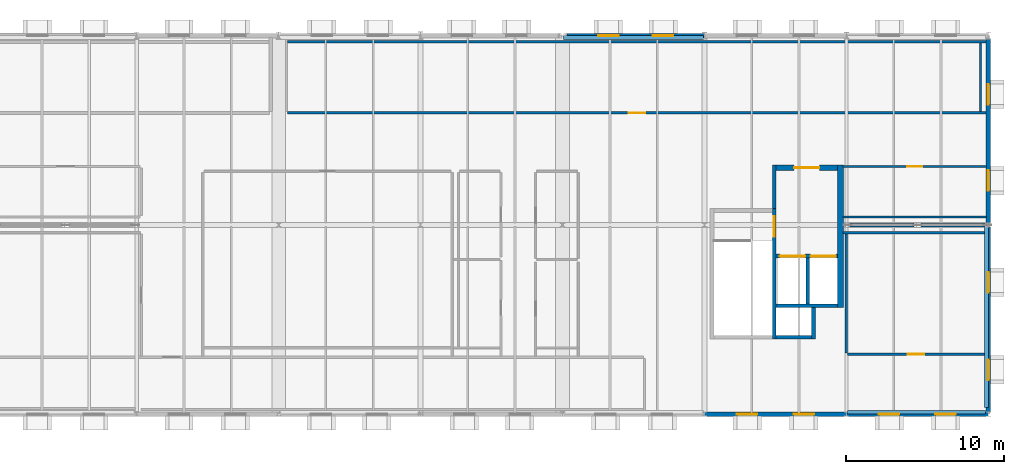
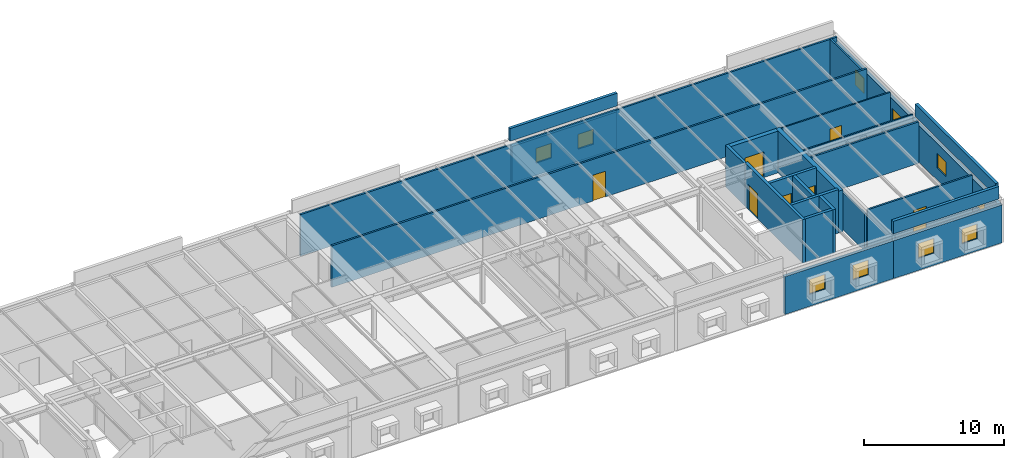
# One storey, part 14 of 16: 26 walls, 10 windows, 7 doors, 17 openings.
"""IFC4 building model written with IfcOpenShell, lengths in metres."""

from ifc_helpers import new_model, si_unit, direction, frame, frame_2d, origin, place, context, subcontext, project, spatial, rectangle, extrude, material, layer, layer_set, type_object, element, fill, save


model = new_model("IFC4")

# Units and contexts
model_context = context("Model", 3, precision=1e-05, world=origin(), true_north=direction((0.0, 1.0)))
body_context = subcontext(model_context, "Body", "Model", "MODEL_VIEW")
ifc_project = project(units=[si_unit("LENGTHUNIT", "METRE"), si_unit("AREAUNIT", "SQUARE_METRE"), si_unit("VOLUMEUNIT", "CUBIC_METRE"), si_unit("PLANEANGLEUNIT", "RADIAN"), si_unit("MASSUNIT", "GRAM", prefix="KILO")], contexts=[model_context])

# Site, building, storey
site_placement = place(None, origin())
site = spatial("IfcSite", under=ifc_project, at=site_placement, CompositionType="ELEMENT")
building_placement = place(site_placement, origin())
building = spatial("IfcBuilding", under=site, at=building_placement, Name="Montelvaro Courts of Justice", CompositionType="ELEMENT")
storey_placement = place(building_placement, frame((0.0, 0.0, 35.39990234375)))
storey = spatial("IfcBuildingStorey", under=building, at=storey_placement, Name="L08", CompositionType="ELEMENT", Elevation=35.39990234375)

# Walls
ifc_material_1 = material(Name="Gypsum board on metal stud")
ifc_layer_1 = layer(ifc_material_1, 0.14990234375)
ifc_layer_set_1 = layer_set([ifc_layer_1], Name="Gypsum board on metal stud")
wall_type_1 = type_object("IfcWallType", Name="ChambersPartition_150", PredefinedType="PARTITIONING", material=ifc_layer_set_1)
wall_1_placement = place(storey_placement, frame((81.580078125, 23.60009765625, 0.0), z_axis=(0.0, 0.0, 1.0), x_axis=(1.0, 0.0, 0.0)))
element("IfcWall", 1, at=wall_1_placement, inside=storey, type_object=wall_type_1, Name="Interior Partition IW-04 (L08)", PredefinedType="PARTITIONING", context=body_context, shape_type="SweptSolid", body=[
    extrude(rectangle(XDim=44.411865234375, YDim=0.14990234375, at=frame_2d((22.2060546875, 0.0))), origin(), (0.0, 0.0, 1.0), 3.64013671875),
])
wall_2_placement = place(storey_placement, frame((125.5, 23.530029296875, 0.0), z_axis=(0.0, 0.0, 1.0), x_axis=(0.0, -1.0, 0.0)))
element("IfcWall", 2, at=wall_2_placement, inside=storey, type_object=wall_type_1, Name="Interior Partition IW-04 (L08)", PredefinedType="PARTITIONING", context=body_context, shape_type="SweptSolid", body=[
    extrude(rectangle(XDim=4.35009765625, YDim=0.14990234375, at=frame_2d((2.175048828125, 0.0))), origin(), (0.0, 0.0, 1.0), 3.64013671875),
])

# Wall, opening, door
wall_3_placement = place(storey_placement, frame((125.864990234375, 19.10009765625, 0.0), z_axis=(0.0, 0.0, 1.0), x_axis=(-1.0, 0.0, 0.0)))
wall_3 = element("IfcWall", 3, at=wall_3_placement, inside=storey, type_object=wall_type_1, Name="Interior Partition IW-04 (L08)", PredefinedType="PARTITIONING", context=body_context, shape_type="SweptSolid", body=[
    extrude(rectangle(XDim=44.284912109375, YDim=0.14990234375, at=frame_2d((22.142578125, 0.0))), origin(), (0.0, 0.0, 1.0), 3.64013671875),
])
opening_1_placement = place(wall_3_placement, frame((21.616943359375, 0.0, 0.0)))
opening_1 = element("IfcOpeningElement", 4, at=opening_1_placement, cuts=wall_3, Name="Opening D-L08-193", PredefinedType="OPENING", context=body_context, shape_type="SweptSolid", body=[
    extrude(rectangle(XDim=1.050048828125, YDim=2.25, at=frame_2d((0.52490234375, 1.125))), frame((0.0, 0.08984375, 0.0), z_axis=(0.0, -1.0, 0.0), x_axis=(1.0, 0.0, 0.0)), (0.0, 0.0, 1.0), 0.1796875),
])
ifc_material_2 = material(Name="Acoustic oak timber veneer", Category="wood")
door_type_1 = type_object("IfcDoorType", Name="ChamberDoor_105x225", OperationType="NOTDEFINED", PredefinedType="DOOR", material=ifc_material_2)
door_1_placement = place(opening_1_placement, frame((1.050048828125, 0.0, 0.0), z_axis=(0.0, 0.0, 1.0), x_axis=(-1.0, 0.0, 0.0)))
door_1 = element("IfcDoor", 5, at=door_1_placement, inside=storey, type_object=door_type_1, Name="Interior Door D-L08-193 (Senior Judicial Secretariat Office)", OperationType="SINGLE_SWING_LEFT", OverallHeight=2.25, OverallWidth=1.050048828125, PredefinedType="DOOR", context=body_context, shape_type="SweptSolid", body=[
    extrude(rectangle(XDim=1.050048828125, YDim=2.25, at=frame_2d((0.52490234375, 1.125))), frame((0.0, 0.02490234375, 0.0), z_axis=(0.0, -1.0, 0.0), x_axis=(1.0, 0.0, 0.0)), (0.0, 0.0, 1.0), 0.050048828125),
])
fill(opening_1, door_1)

# Walls
wall_4_placement = place(storey_placement, frame((117.0, 3.8798828125, 0.0), z_axis=(0.0, 0.0, 1.0), x_axis=(0.0, 1.0, 0.0)))
element("IfcWall", 6, at=wall_4_placement, inside=storey, type_object=wall_type_1, Name="Interior Partition IW-04 (L08)", PredefinedType="PARTITIONING", context=body_context, shape_type="SweptSolid", body=[
    extrude(rectangle(XDim=7.5400390625, YDim=0.14990234375, at=frame_2d((3.77001953125, 0.0))), origin(), (0.0, 0.0, 1.0), 3.2451171875),
])
wall_5_placement = place(storey_placement, frame((116.794921875, 11.5, 0.0), z_axis=(0.0, 0.0, 1.0), x_axis=(1.0, 0.0, 0.0)))
element("IfcWall", 7, at=wall_5_placement, inside=storey, type_object=wall_type_1, Name="Interior Partition IW-04 (L08)", PredefinedType="PARTITIONING", context=body_context, shape_type="SweptSolid", body=[
    extrude(rectangle(XDim=8.969970703125, YDim=0.14990234375, at=frame_2d((4.48486328125, 0.0))), origin(), (0.0, 0.0, 1.0), 3.64013671875),
])

# Wall, opening, door
wall_6_placement = place(storey_placement, frame((125.764892578125, 3.800048828125, 0.0), z_axis=(0.0, 0.0, 1.0), x_axis=(-1.0, 0.0, 0.0)))
wall_6 = element("IfcWall", 8, at=wall_6_placement, inside=storey, type_object=wall_type_1, Name="Interior Partition IW-04 (L08)", PredefinedType="PARTITIONING", context=body_context, shape_type="SweptSolid", body=[
    extrude(rectangle(XDim=8.684814453125, YDim=0.14990234375, at=frame_2d((4.34228515625, 0.0))), origin(), (0.0, 0.0, 1.0), 3.64013671875),
])
opening_2_placement = place(wall_6_placement, frame((3.818115234375, 0.0, 0.0)))
opening_2 = element("IfcOpeningElement", 9, at=opening_2_placement, cuts=wall_6, Name="Opening D-L08-197", PredefinedType="OPENING", context=body_context, shape_type="SweptSolid", body=[
    extrude(rectangle(XDim=1.050048828125, YDim=2.25, at=frame_2d((0.52490234375, 1.125))), frame((0.0, 0.08984375, 0.0), z_axis=(0.0, -1.0, 0.0), x_axis=(1.0, 0.0, 0.0)), (0.0, 0.0, 1.0), 0.1796875),
])
door_2_placement = place(opening_2_placement, frame((1.050048828125, 0.0, 0.0), z_axis=(0.0, 0.0, 1.0), x_axis=(-1.0, 0.0, 0.0)))
door_2 = element("IfcDoor", 10, at=door_2_placement, inside=storey, type_object=door_type_1, Name="Interior Door D-L08-197 (Judicial Mediation Lounge L08)", OperationType="SINGLE_SWING_LEFT", OverallHeight=2.25, OverallWidth=1.050048828125, PredefinedType="DOOR", context=body_context, shape_type="SweptSolid", body=[
    extrude(rectangle(XDim=1.050048828125, YDim=2.25, at=frame_2d((0.52490234375, 1.125))), frame((0.0, 0.02490234375, 0.0), z_axis=(0.0, -1.0, 0.0), x_axis=(1.0, 0.0, 0.0)), (0.0, 0.0, 1.0), 0.050048828125),
])
fill(opening_2, door_2)

ifc_material_3 = material(Name="Concrete C40/50", Category="concrete")
ifc_layer_2 = layer(ifc_material_3, 0.360107421875)
ifc_layer_set_2 = layer_set([ifc_layer_2], Name="Concrete C40/50")
wall_type_2 = type_object("IfcWallType", Name="CoreWall_360", PredefinedType="SHEAR", material=ifc_layer_set_2)
wall_7_placement = place(storey_placement, frame((112.5400390625, 15.6201171875, 0.0), z_axis=(0.0, 0.0, 1.0), x_axis=(1.0, 0.0, 0.0)))
wall_7 = element("IfcWall", 11, at=wall_7_placement, inside=storey, type_object=wall_type_2, Name="Core Shear Wall CW-01 K2-N (L08)", PredefinedType="SHEAR", context=body_context, shape_type="SweptSolid", body=[
    extrude(rectangle(XDim=3.89990234375, YDim=0.360107421875, at=frame_2d((1.949951171875, 0.0))), origin(), (0.0, 0.0, 1.0), 3.66015625),
])
opening_3_placement = place(wall_7_placement, frame((1.14990234375, 0.0, 0.0)))
opening_3 = element("IfcOpeningElement", 12, at=opening_3_placement, cuts=wall_7, Name="Opening DL-L08-K2", PredefinedType="OPENING", context=body_context, shape_type="SweptSolid", body=[
    extrude(rectangle(XDim=1.60009765625, YDim=2.25, at=frame_2d((0.800048828125, 1.125))), frame((0.0, 0.19482421875, 0.0), z_axis=(0.0, -1.0, 0.0), x_axis=(1.0, 0.0, 0.0)), (0.0, 0.0, 1.0), 0.389892578125),
])
ifc_material_4 = material(Name="Galvanised steel S355 security door", Category="steel")
door_type_2 = type_object("IfcDoorType", Name="LobbyFireDoor_160x225", OperationType="DOUBLE_DOOR_SINGLE_SWING", PredefinedType="DOOR", material=ifc_material_4)
door_3_placement = place(opening_3_placement, origin())
door_3 = element("IfcDoor", 13, at=door_3_placement, inside=storey, type_object=door_type_2, Name="Core Lobby Fire Door DL-L08-K2", OperationType="DOUBLE_DOOR_SINGLE_SWING", OverallHeight=2.25, OverallWidth=1.60009765625, PredefinedType="DOOR", context=body_context, shape_type="SweptSolid", body=[
    extrude(rectangle(XDim=1.60009765625, YDim=2.25, at=frame_2d((0.800048828125, 1.125))), frame((0.0, 0.02490234375, 0.0), z_axis=(0.0, -1.0, 0.0), x_axis=(1.0, 0.0, 0.0)), (0.0, 0.0, 1.0), 0.050048828125),
])
fill(opening_3, door_3)

# Wall
wall_8_placement = place(storey_placement, frame((116.6201171875, 6.760009765625, 0.0), z_axis=(0.0, 0.0, 1.0), x_axis=(0.0, 1.0, 0.0)))
element("IfcWall", 14, at=wall_8_placement, inside=storey, type_object=wall_type_2, Name="Core Shear Wall CW-01 K2-E (L08)", PredefinedType="SHEAR", context=body_context, shape_type="SweptSolid", body=[
    extrude(rectangle(XDim=9.0400390625, YDim=0.360107421875, at=frame_2d((4.52001953125, 0.0))), origin(), (0.0, 0.0, 1.0), 3.66015625),
])

# Wall, openings, windows
ifc_material_5 = material(Name="White mineral precast concrete C45/55", Category="concrete")
ifc_layer_3 = layer(ifc_material_5, 0.280029296875)
ifc_layer_set_3 = layer_set([ifc_layer_3], Name="White mineral precast concrete C45/55")
wall_type_3 = type_object("IfcWallType", Name="ExtWall_GFRC_280", PredefinedType="SOLIDWALL", material=ifc_layer_set_3)
wall_9_placement = place(storey_placement, frame((108.008056640625, 0.0, 0.0), z_axis=(0.0, 0.0, 1.0), x_axis=(1.0, 0.0, 0.0)))
wall_9 = element("IfcWall", 15, at=wall_9_placement, inside=storey, type_object=wall_type_3, Name="Exterior Facade Wall EW-01 (L08)", PredefinedType="SOLIDWALL", context=body_context, shape_type="SweptSolid", body=[
    extrude(rectangle(XDim=8.98388671875, YDim=0.280029296875, at=frame_2d((4.491943359375, 0.0))), origin(), (0.0, 0.0, 1.0), 3.30517578125),
])
opening_4_placement = place(wall_9_placement, frame((2.044921875, 0.0, 1.050048828125)))
opening_4 = element("IfcOpeningElement", 16, at=opening_4_placement, cuts=wall_9, Name="Opening WE-18", PredefinedType="OPENING", context=body_context, shape_type="SweptSolid", body=[
    extrude(rectangle(XDim=1.300048828125, YDim=1.300048828125, at=frame_2d((0.64990234375, 0.64990234375))), frame((0.0, 0.15478515625, 0.0), z_axis=(0.0, -1.0, 0.0), x_axis=(1.0, 0.0, 0.0)), (0.0, 0.0, 1.0), 0.309814453125),
])
opening_5_placement = place(wall_9_placement, frame((5.638916015625, 0.0, 1.050048828125)))
opening_5 = element("IfcOpeningElement", 17, at=opening_5_placement, cuts=wall_9, Name="Opening WE-18", PredefinedType="OPENING", context=body_context, shape_type="SweptSolid", body=[
    extrude(rectangle(XDim=1.300048828125, YDim=1.300048828125, at=frame_2d((0.64990234375, 0.64990234375))), frame((0.0, 0.15478515625, 0.0), z_axis=(0.0, -1.0, 0.0), x_axis=(1.0, 0.0, 0.0)), (0.0, 0.0, 1.0), 0.309814453125),
])
ifc_material_6 = material(Name="Low-E solar control double glazing", Category="glass")
window_type = type_object("IfcWindowType", Name="Win_Sq_130x130", PartitioningType="SINGLE_PANEL", PredefinedType="WINDOW", material=ifc_material_6)
window_1_placement = place(opening_4_placement, origin())
window_1 = element("IfcWindow", 18, at=window_1_placement, inside=storey, type_object=window_type, Name="Window W-L08-400", OverallHeight=1.300048828125, OverallWidth=1.300048828125, PartitioningType="SINGLE_PANEL", PredefinedType="WINDOW", context=body_context, shape_type="SweptSolid", body=[
    extrude(rectangle(XDim=1.300048828125, YDim=1.300048828125, at=frame_2d((0.64990234375, 0.64990234375))), frame((0.0, 0.030029296875, 0.0), z_axis=(0.0, -1.0, 0.0), x_axis=(1.0, 0.0, 0.0)), (0.0, 0.0, 1.0), 0.06005859375),
])
fill(opening_4, window_1)
window_2_placement = place(opening_5_placement, origin())
window_2 = element("IfcWindow", 19, at=window_2_placement, inside=storey, type_object=window_type, Name="Window W-L08-401", OverallHeight=1.300048828125, OverallWidth=1.300048828125, PartitioningType="SINGLE_PANEL", PredefinedType="WINDOW", context=body_context, shape_type="SweptSolid", body=[
    extrude(rectangle(XDim=1.300048828125, YDim=1.300048828125, at=frame_2d((0.64990234375, 0.64990234375))), frame((0.0, 0.030029296875, 0.0), z_axis=(0.0, -1.0, 0.0), x_axis=(1.0, 0.0, 0.0)), (0.0, 0.0, 1.0), 0.06005859375),
])
fill(opening_5, window_2)

wall_10_placement = place(storey_placement, frame((117.008056640625, 0.0, 0.0), z_axis=(0.0, 0.0, 1.0), x_axis=(1.0, 0.0, 0.0)))
wall_10 = element("IfcWall", 20, at=wall_10_placement, inside=storey, type_object=wall_type_3, Name="Exterior Facade Wall EW-01 (L08)", PredefinedType="SOLIDWALL", context=body_context, shape_type="SweptSolid", body=[
    extrude(rectangle(XDim=8.98388671875, YDim=0.280029296875, at=frame_2d((4.491943359375, 0.0))), origin(), (0.0, 0.0, 1.0), 3.30517578125),
])
opening_6_placement = place(wall_10_placement, frame((2.044921875, 0.0, 1.050048828125)))
opening_6 = element("IfcOpeningElement", 21, at=opening_6_placement, cuts=wall_10, Name="Opening WE-18", PredefinedType="OPENING", context=body_context, shape_type="SweptSolid", body=[
    extrude(rectangle(XDim=1.300048828125, YDim=1.300048828125, at=frame_2d((0.64990234375, 0.64990234375))), frame((0.0, 0.15478515625, 0.0), z_axis=(0.0, -1.0, 0.0), x_axis=(1.0, 0.0, 0.0)), (0.0, 0.0, 1.0), 0.309814453125),
])
opening_7_placement = place(wall_10_placement, frame((5.638916015625, 0.0, 1.050048828125)))
opening_7 = element("IfcOpeningElement", 22, at=opening_7_placement, cuts=wall_10, Name="Opening WE-18", PredefinedType="OPENING", context=body_context, shape_type="SweptSolid", body=[
    extrude(rectangle(XDim=1.300048828125, YDim=1.300048828125, at=frame_2d((0.64990234375, 0.64990234375))), frame((0.0, 0.15478515625, 0.0), z_axis=(0.0, -1.0, 0.0), x_axis=(1.0, 0.0, 0.0)), (0.0, 0.0, 1.0), 0.309814453125),
])
window_3_placement = place(opening_6_placement, origin())
window_3 = element("IfcWindow", 23, at=window_3_placement, inside=storey, type_object=window_type, Name="Window W-L08-402", OverallHeight=1.300048828125, OverallWidth=1.300048828125, PartitioningType="SINGLE_PANEL", PredefinedType="WINDOW", context=body_context, shape_type="SweptSolid", body=[
    extrude(rectangle(XDim=1.300048828125, YDim=1.300048828125, at=frame_2d((0.64990234375, 0.64990234375))), frame((0.0, 0.030029296875, 0.0), z_axis=(0.0, -1.0, 0.0), x_axis=(1.0, 0.0, 0.0)), (0.0, 0.0, 1.0), 0.06005859375),
])
fill(opening_6, window_3)
window_4_placement = place(opening_7_placement, origin())
window_4 = element("IfcWindow", 24, at=window_4_placement, inside=storey, type_object=window_type, Name="Window W-L08-403", OverallHeight=1.300048828125, OverallWidth=1.300048828125, PartitioningType="SINGLE_PANEL", PredefinedType="WINDOW", context=body_context, shape_type="SweptSolid", body=[
    extrude(rectangle(XDim=1.300048828125, YDim=1.300048828125, at=frame_2d((0.64990234375, 0.64990234375))), frame((0.0, 0.030029296875, 0.0), z_axis=(0.0, -1.0, 0.0), x_axis=(1.0, 0.0, 0.0)), (0.0, 0.0, 1.0), 0.06005859375),
])
fill(opening_7, window_4)

wall_11_placement = place(storey_placement, frame((126.0, 0.137939453125, 0.0), z_axis=(0.0, 0.0, 1.0), x_axis=(0.0, 1.0, 0.0)))
wall_11 = element("IfcWall", 25, at=wall_11_placement, inside=storey, type_object=wall_type_3, Name="Exterior Facade Wall EW-01 (L08)", PredefinedType="SOLIDWALL", context=body_context, shape_type="SweptSolid", body=[
    extrude(rectangle(XDim=11.734130859375, YDim=0.280029296875, at=frame_2d((5.8671875, 0.0))), origin(), (0.0, 0.0, 1.0), 3.195068359375),
])
opening_8_placement = place(wall_11_placement, frame((2.02197265625, 0.0, 1.050048828125)))
opening_8 = element("IfcOpeningElement", 26, at=opening_8_placement, cuts=wall_11, Name="Opening WE-18", PredefinedType="OPENING", context=body_context, shape_type="SweptSolid", body=[
    extrude(rectangle(XDim=1.300048828125, YDim=1.300048828125, at=frame_2d((0.64990234375, 0.64990234375))), frame((0.0, 0.15478515625, 0.0), z_axis=(0.0, -1.0, 0.0), x_axis=(1.0, 0.0, 0.0)), (0.0, 0.0, 1.0), 0.309814453125),
])
opening_9_placement = place(wall_11_placement, frame((7.56396484375, 0.0, 1.050048828125)))
opening_9 = element("IfcOpeningElement", 27, at=opening_9_placement, cuts=wall_11, Name="Opening WE-18", PredefinedType="OPENING", context=body_context, shape_type="SweptSolid", body=[
    extrude(rectangle(XDim=1.300048828125, YDim=1.300048828125, at=frame_2d((0.64990234375, 0.64990234375))), frame((0.0, 0.15478515625, 0.0), z_axis=(0.0, -1.0, 0.0), x_axis=(1.0, 0.0, 0.0)), (0.0, 0.0, 1.0), 0.309814453125),
])
window_5_placement = place(opening_8_placement, origin())
window_5 = element("IfcWindow", 28, at=window_5_placement, inside=storey, type_object=window_type, Name="Window W-L08-404", OverallHeight=1.300048828125, OverallWidth=1.300048828125, PartitioningType="SINGLE_PANEL", PredefinedType="WINDOW", context=body_context, shape_type="SweptSolid", body=[
    extrude(rectangle(XDim=1.300048828125, YDim=1.300048828125, at=frame_2d((0.64990234375, 0.64990234375))), frame((0.0, 0.030029296875, 0.0), z_axis=(0.0, -1.0, 0.0), x_axis=(1.0, 0.0, 0.0)), (0.0, 0.0, 1.0), 0.06005859375),
])
fill(opening_8, window_5)
window_6_placement = place(opening_9_placement, origin())
window_6 = element("IfcWindow", 29, at=window_6_placement, inside=storey, type_object=window_type, Name="Window W-L08-405", OverallHeight=1.300048828125, OverallWidth=1.300048828125, PartitioningType="SINGLE_PANEL", PredefinedType="WINDOW", context=body_context, shape_type="SweptSolid", body=[
    extrude(rectangle(XDim=1.300048828125, YDim=1.300048828125, at=frame_2d((0.64990234375, 0.64990234375))), frame((0.0, 0.030029296875, 0.0), z_axis=(0.0, -1.0, 0.0), x_axis=(1.0, 0.0, 0.0)), (0.0, 0.0, 1.0), 0.06005859375),
])
fill(opening_9, window_6)

wall_12_placement = place(storey_placement, frame((126.0, 12.1279296875, 0.0), z_axis=(0.0, 0.0, 1.0), x_axis=(0.0, 1.0, 0.0)))
wall_12 = element("IfcWall", 30, at=wall_12_placement, inside=storey, type_object=wall_type_3, Name="Exterior Facade Wall EW-01 (L08)", PredefinedType="SOLIDWALL", context=body_context, shape_type="SweptSolid", body=[
    extrude(rectangle(XDim=11.649169921875, YDim=0.280029296875, at=frame_2d((5.82470703125, 0.0))), origin(), (0.0, 0.0, 1.0), 3.195068359375),
])
opening_10_placement = place(wall_12_placement, frame((2.031982421875, 0.0, 1.050048828125)))
opening_10 = element("IfcOpeningElement", 31, at=opening_10_placement, cuts=wall_12, Name="Opening WE-18", PredefinedType="OPENING", context=body_context, shape_type="SweptSolid", body=[
    extrude(rectangle(XDim=1.300048828125, YDim=1.300048828125, at=frame_2d((0.64990234375, 0.64990234375))), frame((0.0, 0.15478515625, 0.0), z_axis=(0.0, -1.0, 0.0), x_axis=(1.0, 0.0, 0.0)), (0.0, 0.0, 1.0), 0.309814453125),
])
opening_11_placement = place(wall_12_placement, frame((7.50390625, 0.0, 1.050048828125)))
opening_11 = element("IfcOpeningElement", 32, at=opening_11_placement, cuts=wall_12, Name="Opening WE-18", PredefinedType="OPENING", context=body_context, shape_type="SweptSolid", body=[
    extrude(rectangle(XDim=1.300048828125, YDim=1.300048828125, at=frame_2d((0.64990234375, 0.64990234375))), frame((0.0, 0.15478515625, 0.0), z_axis=(0.0, -1.0, 0.0), x_axis=(1.0, 0.0, 0.0)), (0.0, 0.0, 1.0), 0.309814453125),
])
window_7_placement = place(opening_10_placement, origin())
window_7 = element("IfcWindow", 33, at=window_7_placement, inside=storey, type_object=window_type, Name="Window W-L08-406", OverallHeight=1.300048828125, OverallWidth=1.300048828125, PartitioningType="SINGLE_PANEL", PredefinedType="WINDOW", context=body_context, shape_type="SweptSolid", body=[
    extrude(rectangle(XDim=1.300048828125, YDim=1.300048828125, at=frame_2d((0.64990234375, 0.64990234375))), frame((0.0, 0.030029296875, 0.0), z_axis=(0.0, -1.0, 0.0), x_axis=(1.0, 0.0, 0.0)), (0.0, 0.0, 1.0), 0.06005859375),
])
fill(opening_10, window_7)
window_8_placement = place(opening_11_placement, origin())
window_8 = element("IfcWindow", 34, at=window_8_placement, inside=storey, type_object=window_type, Name="Window W-L08-407", OverallHeight=1.300048828125, OverallWidth=1.300048828125, PartitioningType="SINGLE_PANEL", PredefinedType="WINDOW", context=body_context, shape_type="SweptSolid", body=[
    extrude(rectangle(XDim=1.300048828125, YDim=1.300048828125, at=frame_2d((0.64990234375, 0.64990234375))), frame((0.0, 0.030029296875, 0.0), z_axis=(0.0, -1.0, 0.0), x_axis=(1.0, 0.0, 0.0)), (0.0, 0.0, 1.0), 0.06005859375),
])
fill(opening_11, window_8)

wall_13_placement = place(storey_placement, frame((107.991943359375, 24.0, 0.0), z_axis=(0.0, 0.0, 1.0), x_axis=(-1.0, 0.0, 0.0)))
wall_13 = element("IfcWall", 35, at=wall_13_placement, inside=storey, type_object=wall_type_3, Name="Exterior Facade Wall EW-01 (L08)", PredefinedType="SOLIDWALL", context=body_context, shape_type="SweptSolid", body=[
    extrude(rectangle(XDim=8.69384765625, YDim=0.280029296875, at=frame_2d((4.346923828125, 0.0))), origin(), (0.0, 0.0, 1.0), 3.205078125),
])
opening_12_placement = place(wall_13_placement, frame((1.9580078125, 0.0, 1.050048828125)))
opening_12 = element("IfcOpeningElement", 36, at=opening_12_placement, cuts=wall_13, Name="Opening WE-18", PredefinedType="OPENING", context=body_context, shape_type="SweptSolid", body=[
    extrude(rectangle(XDim=1.300048828125, YDim=1.300048828125, at=frame_2d((0.64990234375, 0.64990234375))), frame((0.0, 0.15478515625, 0.0), z_axis=(0.0, -1.0, 0.0), x_axis=(1.0, 0.0, 0.0)), (0.0, 0.0, 1.0), 0.309814453125),
])
opening_13_placement = place(wall_13_placement, frame((5.43603515625, 0.0, 1.050048828125)))
opening_13 = element("IfcOpeningElement", 37, at=opening_13_placement, cuts=wall_13, Name="Opening WE-18", PredefinedType="OPENING", context=body_context, shape_type="SweptSolid", body=[
    extrude(rectangle(XDim=1.300048828125, YDim=1.300048828125, at=frame_2d((0.64990234375, 0.64990234375))), frame((0.0, 0.15478515625, 0.0), z_axis=(0.0, -1.0, 0.0), x_axis=(1.0, 0.0, 0.0)), (0.0, 0.0, 1.0), 0.309814453125),
])
window_9_placement = place(opening_12_placement, origin())
window_9 = element("IfcWindow", 38, at=window_9_placement, inside=storey, type_object=window_type, Name="Window W-L08-412", OverallHeight=1.300048828125, OverallWidth=1.300048828125, PartitioningType="SINGLE_PANEL", PredefinedType="WINDOW", context=body_context, shape_type="SweptSolid", body=[
    extrude(rectangle(XDim=1.300048828125, YDim=1.300048828125, at=frame_2d((0.64990234375, 0.64990234375))), frame((0.0, 0.030029296875, 0.0), z_axis=(0.0, -1.0, 0.0), x_axis=(1.0, 0.0, 0.0)), (0.0, 0.0, 1.0), 0.06005859375),
])
fill(opening_12, window_9)
window_10_placement = place(opening_13_placement, origin())
window_10 = element("IfcWindow", 39, at=window_10_placement, inside=storey, type_object=window_type, Name="Window W-L08-413", OverallHeight=1.300048828125, OverallWidth=1.300048828125, PartitioningType="SINGLE_PANEL", PredefinedType="WINDOW", context=body_context, shape_type="SweptSolid", body=[
    extrude(rectangle(XDim=1.300048828125, YDim=1.300048828125, at=frame_2d((0.64990234375, 0.64990234375))), frame((0.0, 0.030029296875, 0.0), z_axis=(0.0, -1.0, 0.0), x_axis=(1.0, 0.0, 0.0)), (0.0, 0.0, 1.0), 0.06005859375),
])
fill(opening_13, window_10)

# Wall
ifc_layer_4 = layer(ifc_material_1, 0.1201171875)
ifc_layer_set_4 = layer_set([ifc_layer_4], Name="Gypsum board on metal stud")
wall_type_4 = type_object("IfcWallType", Name="OfficePartition_120", PredefinedType="PARTITIONING", material=ifc_layer_set_4)
wall_14_placement = place(storey_placement, frame((125.864990234375, 12.5, 0.0), z_axis=(0.0, 0.0, 1.0), x_axis=(-1.0, 0.0, 0.0)))
element("IfcWall", 40, at=wall_14_placement, inside=storey, type_object=wall_type_4, Name="Interior Partition IW-05 (L08)", PredefinedType="PARTITIONING", context=body_context, shape_type="SweptSolid", body=[
    extrude(rectangle(XDim=9.070068359375, YDim=0.1201171875, at=frame_2d((4.53515625, 0.0))), origin(), (0.0, 0.0, 1.0), 3.64013671875),
])

# Wall, opening, door
wall_15_placement = place(storey_placement, frame((116.794921875, 15.699951171875, 0.0), z_axis=(0.0, 0.0, 1.0), x_axis=(1.0, 0.0, 0.0)))
wall_15 = element("IfcWall", 41, at=wall_15_placement, inside=storey, type_object=wall_type_4, Name="Interior Partition IW-05 (L08)", PredefinedType="PARTITIONING", context=body_context, shape_type="SweptSolid", body=[
    extrude(rectangle(XDim=9.070068359375, YDim=0.1201171875, at=frame_2d((4.53515625, 0.0))), origin(), (0.0, 0.0, 1.0), 3.64013671875),
])
opening_14_placement = place(wall_15_placement, frame((4.06005859375, 0.0, 0.0)))
opening_14 = element("IfcOpeningElement", 42, at=opening_14_placement, cuts=wall_15, Name="Opening D-L08-198", PredefinedType="OPENING", context=body_context, shape_type="SweptSolid", body=[
    extrude(rectangle(XDim=0.949951171875, YDim=2.14990234375, at=frame_2d((0.47509765625, 1.074951171875))), frame((0.0, 0.074951171875, 0.0), z_axis=(0.0, -1.0, 0.0), x_axis=(1.0, 0.0, 0.0)), (0.0, 0.0, 1.0), 0.14990234375),
])
door_type_3 = type_object("IfcDoorType", Name="OfficeDoor_095x215", OperationType="NOTDEFINED", PredefinedType="DOOR", material=ifc_material_2)
door_4_placement = place(opening_14_placement, origin())
door_4 = element("IfcDoor", 43, at=door_4_placement, inside=storey, type_object=door_type_3, Name="Interior Door D-L08-198 (Presidency Executive Advisors' Office L08)", OperationType="SINGLE_SWING_RIGHT", OverallHeight=2.14990234375, OverallWidth=0.949951171875, PredefinedType="DOOR", context=body_context, shape_type="SweptSolid", body=[
    extrude(rectangle(XDim=0.949951171875, YDim=2.14990234375, at=frame_2d((0.47509765625, 1.074951171875))), frame((0.0, 0.02490234375, 0.0), z_axis=(0.0, -1.0, 0.0), x_axis=(1.0, 0.0, 0.0)), (0.0, 0.0, 1.0), 0.050048828125),
])
fill(opening_14, door_4)

# Walls
ifc_layer_5 = layer(ifc_material_5, 0.239990234375)
ifc_layer_set_5 = layer_set([ifc_layer_5], Name="White mineral precast concrete C45/55")
wall_type_5 = type_object("IfcWallType", Name="ParapetWall_240", PredefinedType="PARAPET", material=ifc_layer_set_5)
wall_16_placement = place(storey_placement, frame((117.06005859375, 0.1201171875, 3.800048828125), z_axis=(0.0, 0.0, 1.0), x_axis=(1.0, 0.0, 0.0)))
element("IfcWall", 44, at=wall_16_placement, inside=storey, type_object=wall_type_5, Name="Roof Parapet PW-01 L08-006", PredefinedType="PARAPET", context=body_context, shape_type="SweptSolid", body=[
    extrude(rectangle(XDim=8.760009765625, YDim=0.239990234375, at=frame_2d((4.3798828125, 0.0))), origin(), (0.0, 0.0, 1.0), 1.10009765625),
])
wall_17_placement = place(storey_placement, frame((125.8798828125, 0.419921875, 3.800048828125), z_axis=(0.0, 0.0, 1.0), x_axis=(0.0, 1.0, 0.0)))
element("IfcWall", 45, at=wall_17_placement, inside=storey, type_object=wall_type_5, Name="Roof Parapet PW-01 L08-007", PredefinedType="PARAPET", context=body_context, shape_type="SweptSolid", body=[
    extrude(rectangle(XDim=11.52001953125, YDim=0.239990234375, at=frame_2d((5.760009765625, 0.0))), origin(), (0.0, 0.0, 1.0), 1.10009765625),
])
wall_18_placement = place(storey_placement, frame((107.93994140625, 23.8798828125, 3.800048828125), z_axis=(0.0, 0.0, 1.0), x_axis=(-1.0, 0.0, 0.0)))
element("IfcWall", 46, at=wall_18_placement, inside=storey, type_object=wall_type_5, Name="Roof Parapet PW-01 L08-009", PredefinedType="PARAPET", context=body_context, shape_type="SweptSolid", body=[
    extrude(rectangle(XDim=8.8798828125, YDim=0.239990234375, at=frame_2d((4.43994140625, 0.0))), origin(), (0.0, 0.0, 1.0), 1.10009765625),
])

# Wall, opening, door
ifc_material_7 = material(Name="Concrete C35/45", Category="concrete")
ifc_layer_6 = layer(ifc_material_7, 0.239990234375)
ifc_layer_set_6 = layer_set([ifc_layer_6], Name="Concrete C35/45")
wall_type_6 = type_object("IfcWallType", Name="ShaftWall_240", PredefinedType="SHEAR", material=ifc_layer_set_6)
wall_19_placement = place(storey_placement, frame((112.419921875, 4.760009765625, 0.0), z_axis=(0.0, 0.0, 1.0), x_axis=(0.0, 1.0, 0.0)))
wall_19 = element("IfcWall", 47, at=wall_19_placement, inside=storey, type_object=wall_type_6, Name="Protected Stair Structural Wall ST-K2-E (L08)", PredefinedType="SHEAR", context=body_context, shape_type="SweptSolid", body=[
    extrude(rectangle(XDim=8.280029296875, YDim=0.239990234375, at=frame_2d((4.14013671875, 0.0))), origin(), (0.0, 0.0, 1.0), 3.81005859375),
])
opening_15_placement = place(wall_19_placement, frame((6.489990234375, 0.0, 0.0)))
opening_15 = element("IfcOpeningElement", 48, at=opening_15_placement, cuts=wall_19, Name="Opening DS-L08-K2", PredefinedType="OPENING", context=body_context, shape_type="SweptSolid", body=[
    extrude(rectangle(XDim=1.300048828125, YDim=2.199951171875, at=frame_2d((0.64990234375, 1.10009765625))), frame((0.0, 0.134765625, 0.0), z_axis=(0.0, -1.0, 0.0), x_axis=(1.0, 0.0, 0.0)), (0.0, 0.0, 1.0), 0.269775390625),
])
door_type_4 = type_object("IfcDoorType", Name="StairFireDoor_130x220", OperationType="NOTDEFINED", PredefinedType="DOOR", material=ifc_material_4)
door_5_placement = place(opening_15_placement, frame((1.300048828125, 0.0, 0.0), z_axis=(0.0, 0.0, 1.0), x_axis=(-1.0, 0.0, 0.0)))
door_5 = element("IfcDoor", 49, at=door_5_placement, inside=storey, type_object=door_type_4, Name="Protected Stair Fire Door DS-L08-K2", OperationType="SINGLE_SWING_RIGHT", OverallHeight=2.199951171875, OverallWidth=1.300048828125, PredefinedType="DOOR", context=body_context, shape_type="SweptSolid", body=[
    extrude(rectangle(XDim=1.300048828125, YDim=2.199951171875, at=frame_2d((0.64990234375, 1.10009765625))), frame((0.0, 0.02490234375, 0.0), z_axis=(0.0, -1.0, 0.0), x_axis=(1.0, 0.0, 0.0)), (0.0, 0.0, 1.0), 0.050048828125),
])
fill(opening_15, door_5)

# Wall
wall_20_placement = place(storey_placement, frame((112.419921875, 13.0400390625, 0.0), z_axis=(0.0, 0.0, 1.0), x_axis=(0.0, 1.0, 0.0)))
element("IfcWall", 50, at=wall_20_placement, inside=storey, type_object=wall_type_6, Name="Core Lobby Structural Wall K2-W (L08)", PredefinedType="SHEAR", context=body_context, shape_type="SweptSolid", body=[
    extrude(rectangle(XDim=2.760009765625, YDim=0.239990234375, at=frame_2d((1.3798828125, 0.0))), origin(), (0.0, 0.0, 1.0), 3.66015625),
])

# Wall, openings, doors
wall_21_placement = place(storey_placement, frame((112.5400390625, 10.02001953125, 0.0), z_axis=(0.0, 0.0, 1.0), x_axis=(1.0, 0.0, 0.0)))
wall_21 = element("IfcWall", 51, at=wall_21_placement, inside=storey, type_object=wall_type_6, Name="Lift Shaft Bank Wall K2 (L08)", PredefinedType="SHEAR", context=body_context, shape_type="SweptSolid", body=[
    extrude(rectangle(XDim=3.89990234375, YDim=0.239990234375, at=frame_2d((1.949951171875, 0.0))), origin(), (0.0, 0.0, 1.0), 3.81005859375),
])
opening_16_placement = place(wall_21_placement, frame((0.235107421875, 0.0, 0.0)))
opening_16 = element("IfcOpeningElement", 52, at=opening_16_placement, cuts=wall_21, Name="Opening LD-LF-02-L08", PredefinedType="OPENING", context=body_context, shape_type="SweptSolid", body=[
    extrude(rectangle(XDim=1.60009765625, YDim=2.300048828125, at=frame_2d((0.800048828125, 1.14990234375))), frame((0.0, 0.134765625, 0.0), z_axis=(0.0, -1.0, 0.0), x_axis=(1.0, 0.0, 0.0)), (0.0, 0.0, 1.0), 0.269775390625),
])
opening_17_placement = place(wall_21_placement, frame((2.18505859375, 0.0, 0.0)))
opening_17 = element("IfcOpeningElement", 53, at=opening_17_placement, cuts=wall_21, Name="Opening LD-LJ-02-L08", PredefinedType="OPENING", context=body_context, shape_type="SweptSolid", body=[
    extrude(rectangle(XDim=1.60009765625, YDim=2.300048828125, at=frame_2d((0.800048828125, 1.14990234375))), frame((0.0, 0.134765625, 0.0), z_axis=(0.0, -1.0, 0.0), x_axis=(1.0, 0.0, 0.0)), (0.0, 0.0, 1.0), 0.269775390625),
])
door_type_5 = type_object("IfcDoorType", Name="LiftDoor_160x230", OperationType="DOUBLE_DOOR_SLIDING", PredefinedType="DOOR", material=ifc_material_4)
door_6_placement = place(opening_16_placement, origin())
door_6 = element("IfcDoor", 54, at=door_6_placement, inside=storey, type_object=door_type_5, Name="Lift Landing Sliding Door LD-LF-02-L08", OperationType="DOUBLE_DOOR_SLIDING", OverallHeight=2.300048828125, OverallWidth=1.60009765625, PredefinedType="DOOR", context=body_context, shape_type="SweptSolid", body=[
    extrude(rectangle(XDim=1.60009765625, YDim=2.300048828125, at=frame_2d((0.800048828125, 1.14990234375))), frame((0.0, 0.02490234375, 0.0), z_axis=(0.0, -1.0, 0.0), x_axis=(1.0, 0.0, 0.0)), (0.0, 0.0, 1.0), 0.050048828125),
])
fill(opening_16, door_6)
door_7_placement = place(opening_17_placement, origin())
door_7 = element("IfcDoor", 55, at=door_7_placement, inside=storey, type_object=door_type_5, Name="Lift Landing Sliding Door LD-LJ-02-L08", OperationType="DOUBLE_DOOR_SLIDING", OverallHeight=2.300048828125, OverallWidth=1.60009765625, PredefinedType="DOOR", context=body_context, shape_type="SweptSolid", body=[
    extrude(rectangle(XDim=1.60009765625, YDim=2.300048828125, at=frame_2d((0.800048828125, 1.14990234375))), frame((0.0, 0.02490234375, 0.0), z_axis=(0.0, -1.0, 0.0), x_axis=(1.0, 0.0, 0.0)), (0.0, 0.0, 1.0), 0.050048828125),
])
fill(opening_17, door_7)

# Walls
wall_22_placement = place(storey_placement, frame((112.5400390625, 6.8798828125, 0.0), z_axis=(0.0, 0.0, 1.0), x_axis=(1.0, 0.0, 0.0)))
element("IfcWall", 56, at=wall_22_placement, inside=storey, type_object=wall_type_6, Name="Lift Shaft Back Wall K2 (L08)", PredefinedType="SHEAR", context=body_context, shape_type="SweptSolid", body=[
    extrude(rectangle(XDim=3.89990234375, YDim=0.239990234375, at=frame_2d((1.949951171875, 0.0))), origin(), (0.0, 0.0, 1.0), 3.81005859375),
])
wall_23_placement = place(storey_placement, frame((114.550048828125, 7.0, 0.0), z_axis=(0.0, 0.0, 1.0), x_axis=(0.0, 1.0, 0.0)))
element("IfcWall", 57, at=wall_23_placement, inside=storey, type_object=wall_type_6, Name="Lift Shaft Divider Wall K2-LFD1 (L08)", PredefinedType="SHEAR", context=body_context, shape_type="SweptSolid", body=[
    extrude(rectangle(XDim=2.89990234375, YDim=0.239990234375, at=frame_2d((1.449951171875, 0.0))), origin(), (0.0, 0.0, 1.0), 3.81005859375),
])
wall_24_placement = place(storey_placement, frame((114.919921875, 4.760009765625, 0.0), z_axis=(0.0, 0.0, 1.0), x_axis=(0.0, 1.0, 0.0)))
element("IfcWall", 58, at=wall_24_placement, inside=storey, type_object=wall_type_6, Name="Service Riser East Shaft Wall K2 (L08)", PredefinedType="SHEAR", context=body_context, shape_type="SweptSolid", body=[
    extrude(rectangle(XDim=2.0, YDim=0.239990234375, at=frame_2d((1.0, 0.0))), origin(), (0.0, 0.0, 1.0), 3.81005859375),
])
wall_25_placement = place(storey_placement, frame((112.5400390625, 4.8798828125, 0.0), z_axis=(0.0, 0.0, 1.0), x_axis=(1.0, 0.0, 0.0)))
element("IfcWall", 59, at=wall_25_placement, inside=storey, type_object=wall_type_6, Name="Service Riser South Shaft Wall K2 (L08)", PredefinedType="SHEAR", context=body_context, shape_type="SweptSolid", body=[
    extrude(rectangle(XDim=2.260009765625, YDim=0.239990234375, at=frame_2d((1.1298828125, 0.0))), origin(), (0.0, 0.0, 1.0), 3.81005859375),
])
wall_26_placement = place(storey_placement, frame((117.137939453125, 12.0, 0.0), z_axis=(0.0, 0.0, 1.0), x_axis=(1.0, 0.0, 0.0)))
element("IfcWall", 60, at=wall_26_placement, inside=storey, type_object=wall_type_6, Name="Enclosed Braced Frame Structural Wall CBF2 (L08)", PredefinedType="SHEAR", context=body_context, shape_type="SweptSolid", body=[
    extrude(rectangle(XDim=8.85400390625, YDim=0.239990234375, at=frame_2d((4.427001953125, 0.0))), origin(), (0.0, 0.0, 1.0), 3.255126953125),
])

save(model, "model.ifc")
